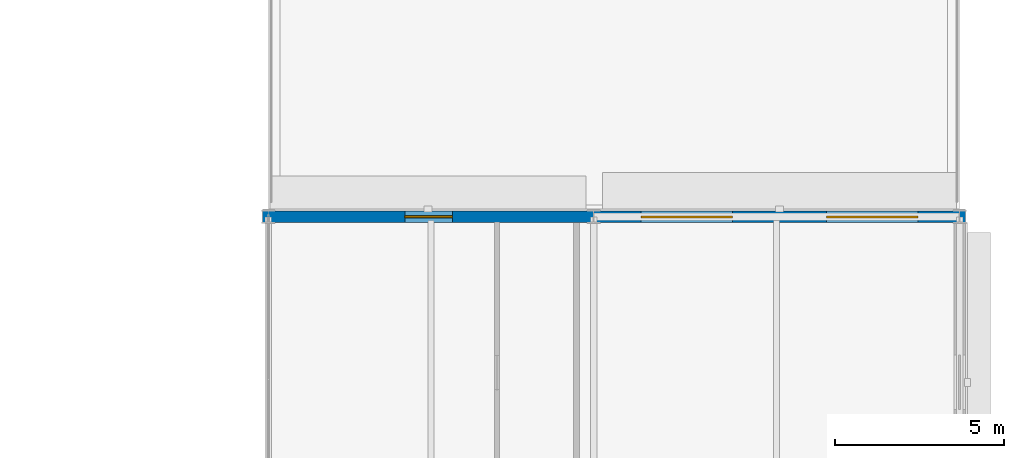
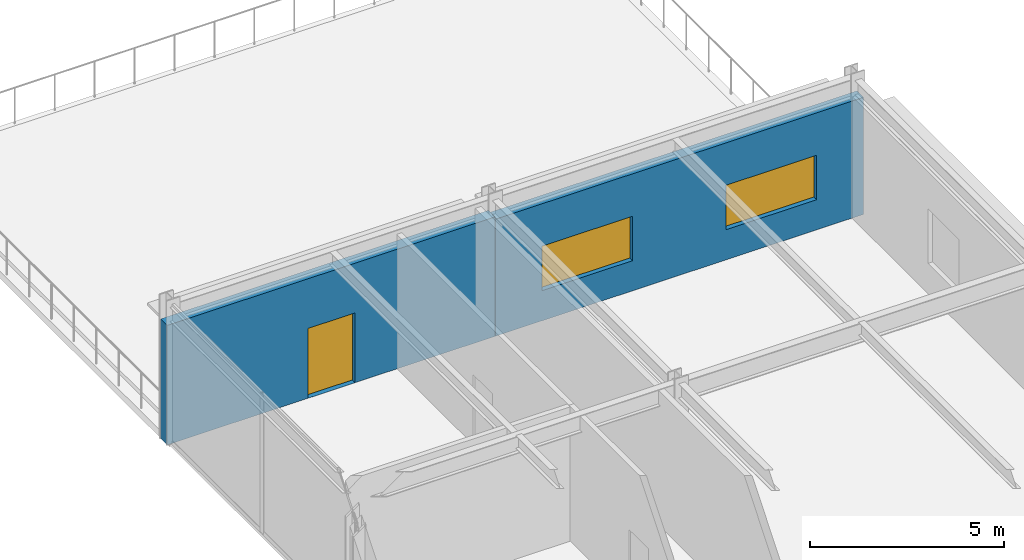
# One storey, part 127 of 157: 2 walls, 2 windows, 1 door, 3 openings.
"""IFC4 building model written with IfcOpenShell, lengths in metres."""

from ifc_helpers import new_model, si_unit, direction, frame, frame_2d, origin, place, context, subcontext, project, spatial, rectangle, extrude, material, layer, layer_set, type_object, element, fill, save


model = new_model("IFC4")

# Units and contexts
model_context = context("Model", 3, precision=1e-05, world=origin(), true_north=direction((0.0, 1.0)))
body_context = subcontext(model_context, "Body", "Model", "MODEL_VIEW")
ifc_project = project(units=[si_unit("LENGTHUNIT", "METRE"), si_unit("AREAUNIT", "SQUARE_METRE"), si_unit("VOLUMEUNIT", "CUBIC_METRE"), si_unit("PLANEANGLEUNIT", "RADIAN"), si_unit("MASSUNIT", "GRAM", prefix="KILO")], contexts=[model_context])

# Site, building, storey
site_placement = place(None, origin())
site = spatial("IfcSite", under=ifc_project, at=site_placement, CompositionType="ELEMENT")
building_placement = place(site_placement, origin())
building = spatial("IfcBuilding", under=site, at=building_placement, Name="Almandine Court Research Institute", CompositionType="ELEMENT")
storey_placement = place(building_placement, frame((0.0, 0.0, 5.25)))
storey = spatial("IfcBuildingStorey", under=building, at=storey_placement, Name="L01", CompositionType="ELEMENT", Elevation=5.25)

# Wall, opening, door
ifc_material_1 = material(Name="Andean Red-Buff Sandstone Plinth Wall", Category="masonry")
ifc_layer = layer(ifc_material_1, 0.340087890625)
ifc_layer_set = layer_set([ifc_layer], Name="Andean Red-Buff Sandstone Plinth Wall")
wall_type = type_object("IfcWallType", Name="Wall-EXT-SAND-340", PredefinedType="SOLIDWALL", material=ifc_layer_set)
wall_1_placement = place(storey_placement, frame((153.429931640625, 103.199951171875, 0.0), z_axis=(0.0, 0.0, 1.0), x_axis=(1.0, 0.0, 0.0)))
wall_1 = element("IfcWall", 1, at=wall_1_placement, inside=storey, type_object=wall_type, Name="L01 Wet Lab North Wall 1", PredefinedType="SOLIDWALL", context=body_context, shape_type="SweptSolid", body=[
    extrude(rectangle(XDim=9.76611328125, YDim=0.340087890625, at=frame_2d((4.883056640625, 0.0))), origin(), (0.0, 0.0, 1.0), 3.763916015625),
])
opening_1_placement = place(wall_1_placement, frame((4.199951171875, 0.0, 0.0)))
opening_1 = element("IfcOpeningElement", 2, at=opening_1_placement, cuts=wall_1, Name="Opening TD-01", PredefinedType="OPENING", context=body_context, shape_type="SweptSolid", body=[
    extrude(rectangle(XDim=1.39990234375, YDim=2.199951171875, at=frame_2d((0.699951171875, 1.10009765625))), frame((0.0, 0.179931640625, 0.0), z_axis=(0.0, -1.0, 0.0), x_axis=(1.0, 0.0, 0.0)), (0.0, 0.0, 1.0), 0.360107421875),
])
ifc_material_2 = material(Name="Thermally Broken Glazed Terrace Door")
door_type = type_object("IfcDoorType", Name="Door-TER-1400", OperationType="DOUBLE_DOOR_SINGLE_SWING", PredefinedType="DOOR", material=ifc_material_2)
door_placement = place(opening_1_placement, origin())
door = element("IfcDoor", 3, at=door_placement, inside=storey, type_object=door_type, Name="L01 Wet Lab North Roof Garden Door", OperationType="DOUBLE_DOOR_SINGLE_SWING", OverallHeight=2.199951171875, OverallWidth=1.39990234375, PredefinedType="DOOR", context=body_context, shape_type="SweptSolid", body=[
    extrude(rectangle(XDim=1.39990234375, YDim=2.199951171875, at=frame_2d((0.699951171875, 1.10009765625))), frame((0.0, 0.02490234375, 0.0), z_axis=(0.0, -1.0, 0.0), x_axis=(1.0, 0.0, 0.0)), (0.0, 0.0, 1.0), 0.050048828125),
])
fill(opening_1, door)

# Wall, openings, windows
wall_2_placement = place(storey_placement, frame((163.2041015625, 103.199951171875, 0.0), z_axis=(0.0, 0.0, 1.0), x_axis=(1.0, 0.0, 0.0)))
wall_2 = element("IfcWall", 4, at=wall_2_placement, inside=storey, type_object=wall_type, Name="L01 Wet Lab North Wall 2", PredefinedType="SOLIDWALL", context=body_context, shape_type="SweptSolid", body=[
    extrude(rectangle(XDim=10.9658203125, YDim=0.340087890625, at=frame_2d((5.48291015625, 0.0))), origin(), (0.0, 0.0, 1.0), 3.68505859375),
])
opening_2_placement = place(wall_2_placement, frame((1.39111328125, 0.0, 0.949951171875)))
opening_2 = element("IfcOpeningElement", 5, at=opening_2_placement, cuts=wall_2, Name="Opening WN-19", PredefinedType="OPENING", context=body_context, shape_type="SweptSolid", body=[
    extrude(rectangle(XDim=2.699951171875, YDim=1.39990234375, at=frame_2d((1.35009765625, 0.699951171875))), frame((0.0, 0.179931640625, 0.0), z_axis=(0.0, -1.0, 0.0), x_axis=(1.0, 0.0, 0.0)), (0.0, 0.0, 1.0), 0.360107421875),
])
opening_3_placement = place(wall_2_placement, frame((6.8740234375, 0.0, 0.949951171875)))
opening_3 = element("IfcOpeningElement", 6, at=opening_3_placement, cuts=wall_2, Name="Opening WN-19", PredefinedType="OPENING", context=body_context, shape_type="SweptSolid", body=[
    extrude(rectangle(XDim=2.699951171875, YDim=1.39990234375, at=frame_2d((1.35009765625, 0.699951171875))), frame((0.0, 0.179931640625, 0.0), z_axis=(0.0, -1.0, 0.0), x_axis=(1.0, 0.0, 0.0)), (0.0, 0.0, 1.0), 0.360107421875),
])
ifc_material_3 = material(Name="Thermally Broken Low-E Double-Glazed Window", Category="glass")
window_type = type_object("IfcWindowType", Name="Win-WN-19-2700x1400", PartitioningType="SINGLE_PANEL", PredefinedType="WINDOW", material=ifc_material_3)
window_1_placement = place(opening_2_placement, origin())
window_1 = element("IfcWindow", 7, at=window_1_placement, inside=storey, type_object=window_type, Name="L01 Modular Recessed Low-E Window 88", OverallHeight=1.39990234375, OverallWidth=2.699951171875, PartitioningType="SINGLE_PANEL", PredefinedType="WINDOW", context=body_context, shape_type="SweptSolid", body=[
    extrude(rectangle(XDim=2.699951171875, YDim=1.39990234375, at=frame_2d((1.35009765625, 0.699951171875))), frame((0.0, 0.030029296875, 0.0), z_axis=(0.0, -1.0, 0.0), x_axis=(1.0, 0.0, 0.0)), (0.0, 0.0, 1.0), 0.06005859375),
])
fill(opening_2, window_1)
window_2_placement = place(opening_3_placement, origin())
window_2 = element("IfcWindow", 8, at=window_2_placement, inside=storey, type_object=window_type, Name="L01 Modular Recessed Low-E Window 89", OverallHeight=1.39990234375, OverallWidth=2.699951171875, PartitioningType="SINGLE_PANEL", PredefinedType="WINDOW", context=body_context, shape_type="SweptSolid", body=[
    extrude(rectangle(XDim=2.699951171875, YDim=1.39990234375, at=frame_2d((1.35009765625, 0.699951171875))), frame((0.0, 0.030029296875, 0.0), z_axis=(0.0, -1.0, 0.0), x_axis=(1.0, 0.0, 0.0)), (0.0, 0.0, 1.0), 0.06005859375),
])
fill(opening_3, window_2)

save(model, "model.ifc")
